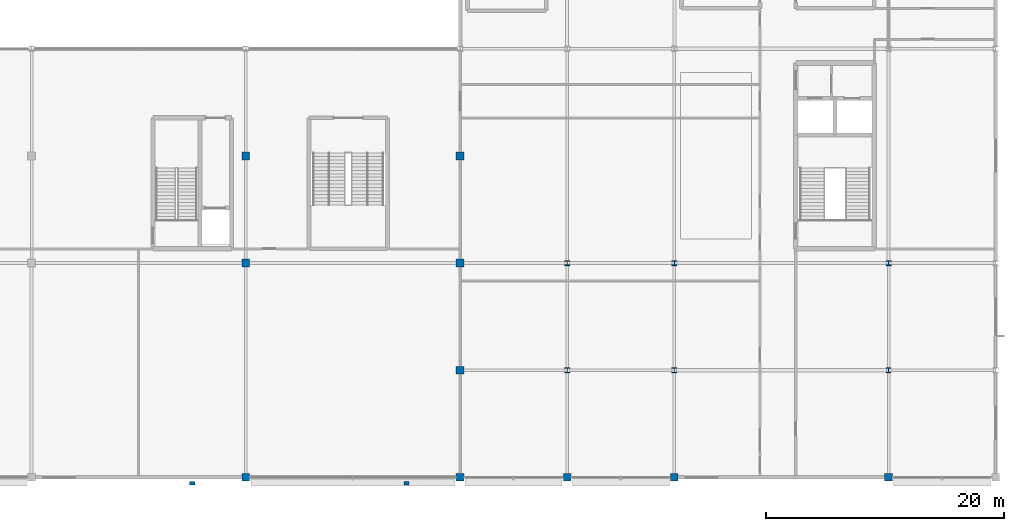
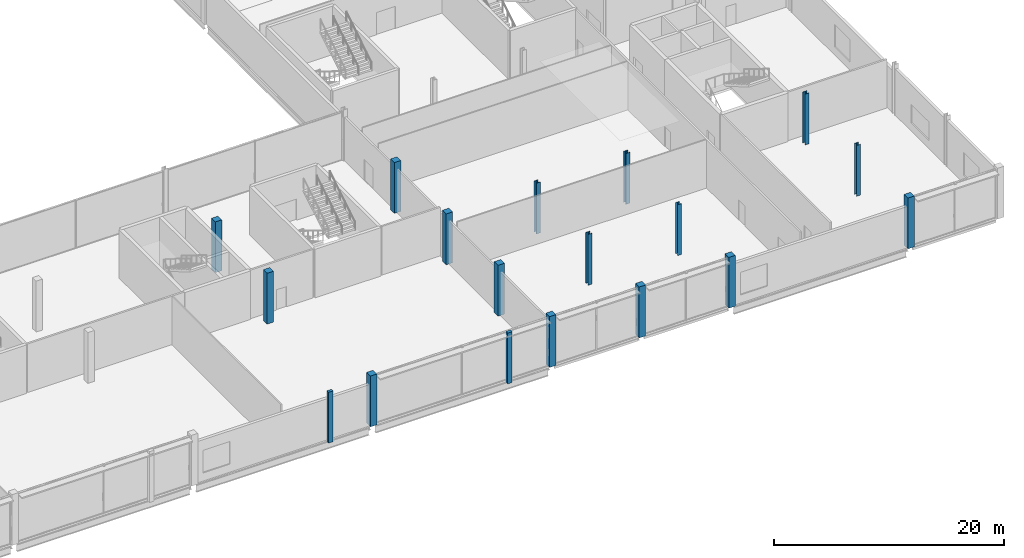
# One storey, part 7 of 111: 18 columns.
"""IFC4 building model written with IfcOpenShell, lengths in metres."""

from ifc_helpers import new_model, si_unit, direction, frame, origin, origin_2d, place, context, subcontext, project, spatial, rectangle, i_section, extrude, material, material_profile, profile_set, type_object, element, save


model = new_model("IFC4")

# Units and contexts
model_context = context("Model", 3, precision=1e-05, world=origin(), true_north=direction((0.0, 1.0)))
body_context = subcontext(model_context, "Body", "Model", "MODEL_VIEW")
ifc_project = project(units=[si_unit("LENGTHUNIT", "METRE"), si_unit("AREAUNIT", "SQUARE_METRE"), si_unit("VOLUMEUNIT", "CUBIC_METRE"), si_unit("PLANEANGLEUNIT", "RADIAN"), si_unit("MASSUNIT", "GRAM", prefix="KILO")], contexts=[model_context])

# Site, building, storey
site_placement = place(None, origin())
site = spatial("IfcSite", under=ifc_project, at=site_placement, CompositionType="ELEMENT")
building_placement = place(site_placement, origin())
building = spatial("IfcBuilding", under=site, at=building_placement, Name="Kisiwana Market Hall", CompositionType="ELEMENT")
storey_placement = place(building_placement, frame((0.0, 0.0, 11.39990234375)))
storey = spatial("IfcBuildingStorey", under=building, at=storey_placement, Name="L02", CompositionType="ELEMENT", Elevation=11.39990234375)

# Columns
ifc_material_1 = material(Name="Concrete C40/50", Category="concrete")
ifc_material_profile_1 = material_profile(ifc_material_1, rectangle(XDim=0.64990234375, YDim=0.64990234375, at=origin_2d()), Name="RC 650x650")
ifc_profile_set_1 = profile_set([ifc_material_profile_1], Name="Concrete C40/50")
column_type_1 = type_object("IfcColumnType", Name="COL-RC-POD-650", PredefinedType="COLUMN", material=ifc_profile_set_1)
for number, where, z_axis, x_axis, name in (
    (1, (135.0, 0.0, 0.0), (0.0, 0.0, 1.0), (1.0, 0.0, 0.0), "Column A/16 (L02) C-0591"),
    (2, (135.0, 18.0, 0.0), (0.0, 0.0, 1.0), (1.0, 0.0, 0.0), "Column C/16 (L02) C-0592"),
    (3, (135.0, 27.0, 0.0), (0.0, 0.0, 1.0), (1.0, 0.0, 0.0), "Column D/16 (L02) C-0593"),
    (4, (153.0, 0.0, 0.0), (0.0, 0.0, 1.0), (1.0, 0.0, 0.0), "Column A/18 (L02) C-0599"),
    (5, (153.0, 9.0, 0.0), (0.0, 0.0, 1.0), (1.0, 0.0, 0.0), "Column B/18 (L02) C-0600"),
    (6, (153.0, 18.0, 0.0), (0.0, 0.0, 1.0), (1.0, 0.0, 0.0), "Column C/18 (L02) C-0601"),
    (7, (153.0, 27.0, 0.0), (0.0, 0.0, 1.0), (1.0, 0.0, 0.0), "Column D/18 (L02) C-0602"),
    (8, (162.0, 0.0, 0.0), (0.0, 0.0, 1.0), (1.0, 0.0, 0.0), "Column A/19 (L02) C-0610"),
    (9, (171.0, 0.0, 0.0), (0.0, 0.0, 1.0), (1.0, 0.0, 0.0), "Column A/20 (L02) C-0618"),
    (10, (189.0, 0.0, 0.0), (0.0, 0.0, 1.0), (1.0, 0.0, 0.0), "Column A/22 (L02) C-0627"),
):
    element("IfcColumn", number, at=place(storey_placement, frame(where, z_axis=z_axis, x_axis=x_axis)), inside=storey, type_object=column_type_1, Name=name, PredefinedType="COLUMN", context=body_context, shape_type="SweptSolid", body=[
        extrude(rectangle(XDim=0.64990234375, YDim=0.64990234375, at=origin_2d()), origin(), (0.0, 0.0, 1.0), 5.400146484375),
    ])
ifc_material_2 = material(Name="Steel S355", Category="steel")
ifc_material_profile_2 = material_profile(ifc_material_2, i_section(OverallWidth=0.406005859375, OverallDepth=0.416015625, WebThickness=0.02978515625, FlangeThickness=0.048095703125, at=origin_2d()), Name="HD 400x382")
ifc_profile_set_2 = profile_set([ifc_material_profile_2], Name="Steel S355")
column_type_2 = type_object("IfcColumnType", Name="COL-STL-HD382", PredefinedType="COLUMN", material=ifc_profile_set_2)
for number, where, z_axis, x_axis, name in (
    (11, (162.0, 18.0, 0.0), (0.0, 0.0, 1.0), (1.0, 0.0, 0.0), "Column C/19 (L02) C-0612"),
    (12, (171.0, 18.0, 0.0), (0.0, 0.0, 1.0), (1.0, 0.0, 0.0), "Column C/20 (L02) C-0620"),
    (13, (189.0, 18.0, 0.0), (0.0, 0.0, 1.0), (1.0, 0.0, 0.0), "Column C/22 (L02) C-0629"),
):
    element("IfcColumn", number, at=place(storey_placement, frame(where, z_axis=z_axis, x_axis=x_axis)), inside=storey, type_object=column_type_2, Name=name, PredefinedType="COLUMN", context=body_context, shape_type="SweptSolid", body=[
        extrude(i_section(OverallWidth=0.406005859375, OverallDepth=0.416015625, WebThickness=0.02978515625, FlangeThickness=0.048095703125, at=origin_2d()), origin(), (0.0, 0.0, 1.0), 5.400146484375),
    ])
ifc_material_3 = material(Name="Steel S355", Category="steel")
ifc_material_profile_3 = material_profile(ifc_material_3, i_section(OverallWidth=0.39892578125, OverallDepth=0.3935546875, WebThickness=0.022705078125, FlangeThickness=0.03662109375, at=origin_2d()), Name="UC 356x406x287")
ifc_profile_set_3 = profile_set([ifc_material_profile_3], Name="Steel S355")
column_type_3 = type_object("IfcColumnType", Name="COL-STL-UC287", PredefinedType="COLUMN", material=ifc_profile_set_3)
for number, where, z_axis, x_axis, name in (
    (14, (162.0, 9.0, 0.0), (0.0, 0.0, 1.0), (1.0, 0.0, 0.0), "Column B/19 (L02) C-0611"),
    (15, (171.0, 9.0, 0.0), (0.0, 0.0, 1.0), (1.0, 0.0, 0.0), "Column B/20 (L02) C-0619"),
    (16, (189.0, 9.0, 0.0), (0.0, 0.0, 1.0), (1.0, 0.0, 0.0), "Column B/22 (L02) C-0628"),
):
    element("IfcColumn", number, at=place(storey_placement, frame(where, z_axis=z_axis, x_axis=x_axis)), inside=storey, type_object=column_type_3, Name=name, PredefinedType="COLUMN", context=body_context, shape_type="SweptSolid", body=[
        extrude(i_section(OverallWidth=0.39892578125, OverallDepth=0.3935546875, WebThickness=0.022705078125, FlangeThickness=0.03662109375, at=origin_2d()), origin(), (0.0, 0.0, 1.0), 5.400146484375),
    ])
ifc_material_4 = material(Name="Concrete C40/50", Category="concrete")
ifc_material_profile_4 = material_profile(ifc_material_4, rectangle(XDim=0.449951171875, YDim=0.300048828125, at=origin_2d()), Name="PIL 450x300")
ifc_profile_set_4 = profile_set([ifc_material_profile_4], Name="Concrete C40/50")
column_type_4 = type_object("IfcColumnType", Name="PIL-CONC-450", PredefinedType="PILASTER", material=ifc_profile_set_4)
for number, where, z_axis, x_axis, name in (
    (17, (130.5, -0.5, 0.0), (0.0, 0.0, 1.0), (1.0, 0.0, 0.0), "Facade pilaster A/15 (L02) C-0648"),
    (18, (148.5, -0.5, 0.0), (0.0, 0.0, 1.0), (1.0, 0.0, 0.0), "Facade pilaster A/17 (L02) C-0649"),
):
    element("IfcColumn", number, at=place(storey_placement, frame(where, z_axis=z_axis, x_axis=x_axis)), inside=storey, type_object=column_type_4, Name=name, PredefinedType="PILASTER", context=body_context, shape_type="SweptSolid", body=[
        extrude(rectangle(XDim=0.449951171875, YDim=0.300048828125, at=origin_2d()), origin(), (0.0, 0.0, 1.0), 5.400146484375),
    ])

save(model, "model.ifc")
